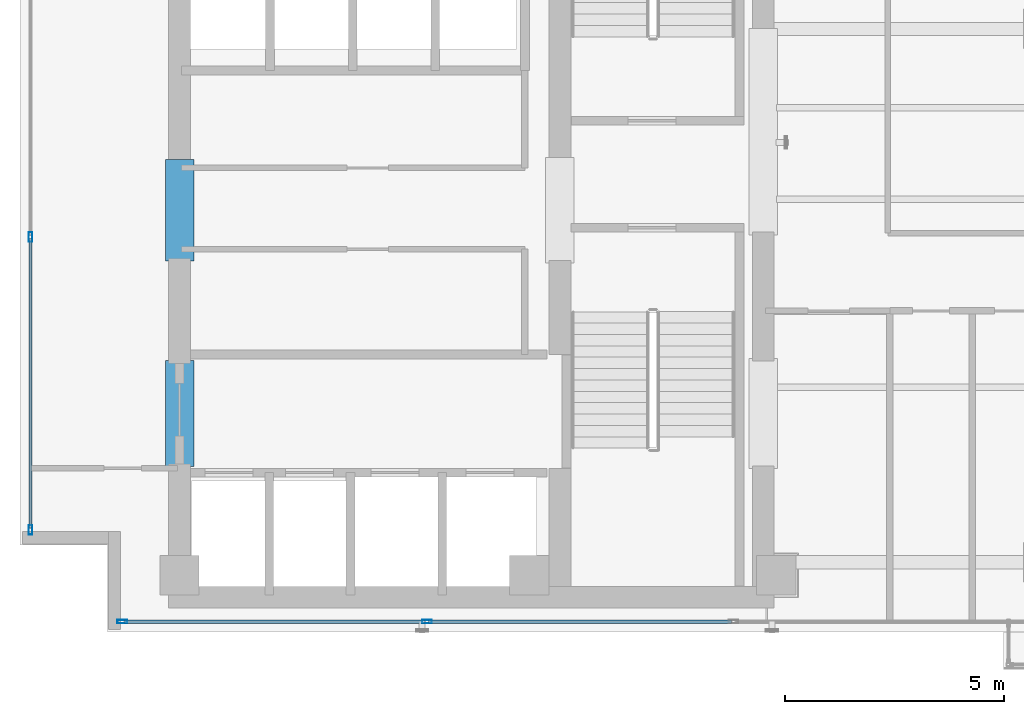
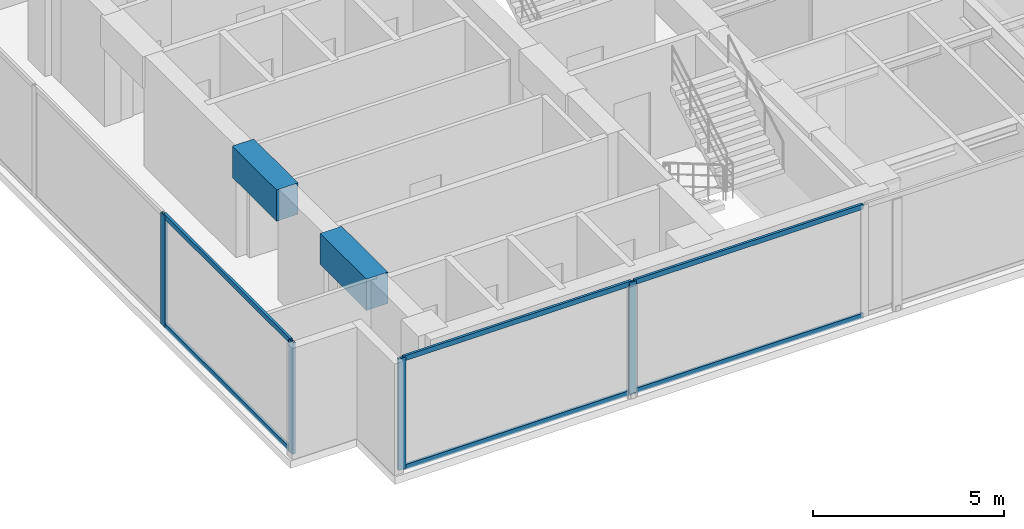
# One storey, part 2 of 22: 10 members, 2 beams, 2 elements without a shape of their own.
"""IFC4 building model written with IfcOpenShell, lengths in metres."""

from ifc_helpers import new_model, si_unit, direction, frame, origin, origin_with_axes, origin_2d, place, context, subcontext, project, spatial, rectangle, hollow_rectangle, extrude, source, transform, mapped, material, layer, layer_set, material_profile, profile_set, type_object, element, aggregate, save


model = new_model("IFC4")

# Units and contexts
model_context = context("Model", 3, precision=1e-05, world=origin(), true_north=direction((0.0, 1.0)))
body_context = subcontext(model_context, "Body", "Model", "MODEL_VIEW")
ifc_project = project(units=[si_unit("LENGTHUNIT", "METRE"), si_unit("AREAUNIT", "SQUARE_METRE"), si_unit("VOLUMEUNIT", "CUBIC_METRE"), si_unit("PLANEANGLEUNIT", "RADIAN"), si_unit("MASSUNIT", "GRAM", prefix="KILO")], contexts=[model_context])

# Site, building, storey
site_placement = place(None, origin())
site = spatial("IfcSite", under=ifc_project, at=site_placement, CompositionType="ELEMENT")
building_placement = place(site_placement, origin())
building = spatial("IfcBuilding", under=site, at=building_placement, Name="Kolvaren Waterfront Exchange", CompositionType="ELEMENT")
storey_placement = place(building_placement, frame((0.0, 0.0, 278.0)))
storey = spatial("IfcBuildingStorey", under=building, at=storey_placement, Name="L71", CompositionType="ELEMENT", Elevation=278.0)

# Beams
ifc_material_1 = material(Name="Concrete C60/75", Category="concrete")
ifc_material_profile_1 = material_profile(ifc_material_1, rectangle(XDim=0.64990234375, YDim=1.0, at=origin_2d()), Name="RC-CB-1000x650")
ifc_profile_set_1 = profile_set([ifc_material_profile_1], Name="Concrete C60/75")
beam_type = type_object("IfcBeamType", Name="STR-CB-1000", PredefinedType="SPANDREL", material=ifc_profile_set_1)
beam_1_placement = place(storey_placement, frame((7.449951171875, 7.389892578125, 3.06005859375), z_axis=(0.0, 1.0, 0.0), x_axis=(-1.0, 0.0, 0.0)))
element("IfcBeam", 1, at=beam_1_placement, inside=storey, type_object=beam_type, Name="L71 core coupling beam 3", PredefinedType="SPANDREL", context=body_context, shape_type="SweptSolid", body=[
    extrude(rectangle(XDim=0.64990234375, YDim=1.0, at=origin_2d()), origin(), (0.0, 0.0, 1.0), 2.420166015625),
])
beam_2_placement = place(storey_placement, frame((7.449951171875, 12.090087890625, 3.06005859375), z_axis=(0.0, 1.0, 0.0), x_axis=(-1.0, 0.0, 0.0)))
element("IfcBeam", 2, at=beam_2_placement, inside=storey, type_object=beam_type, Name="L71 core coupling beam 4", PredefinedType="SPANDREL", context=body_context, shape_type="SweptSolid", body=[
    extrude(rectangle(XDim=0.64990234375, YDim=1.0, at=origin_2d()), origin(), (0.0, 0.0, 1.0), 2.31982421875),
])

# Curtain wall, members
ifc_material_2 = material(Name="Anodised bronze aluminium 6063-T6", Category="aluminium")
ifc_layer_1 = layer(ifc_material_2, 0.219970703125, Name="Anodised bronze aluminium 6063-T6")
ifc_layer_set_1 = layer_set([ifc_layer_1], Name="Anodised bronze aluminium 6063-T6")
curtain_wall_type_1 = type_object("IfcCurtainWallType", Name="ARC-CW-SYS1", PredefinedType="USERDEFINED", material=ifc_layer_set_1)
curtain_wall_1_placement = place(storey_placement, origin())
curtain_wall_1 = element("IfcCurtainWall", 3, at=curtain_wall_1_placement, inside=storey, type_object=curtain_wall_type_1, Name="L71 stick curtain wall CW1 (CW-L71-S)", ObjectType="STICK CURTAIN WALL", PredefinedType="USERDEFINED")
ifc_material_3 = material(Name="Anodised aluminium 6063-T6", Category="aluminium")
ifc_material_profile_2 = material_profile(ifc_material_3, hollow_rectangle(XDim=0.080078125, YDim=0.219970703125, WallThickness=0.0048828125, at=origin_2d()), Name="ALU-MUL-220x80x5")
ifc_profile_set_2 = profile_set([ifc_material_profile_2], Name="Anodised aluminium 6063-T6")
member_type_1 = type_object("IfcMemberType", Name="ARC-CWM-220", PredefinedType="MULLION", material=ifc_profile_set_2)
shared_shape_1 = source(origin_with_axes(), body_context, "Body", "SweptSolid", [
    extrude(hollow_rectangle(XDim=0.080078125, YDim=0.219970703125, WallThickness=0.0048828125, at=origin_2d()), origin(), (0.0, 0.0, 1.0), 3.56005859375),
])
member_1_placement = place(storey_placement, frame((6.139892578125, 3.840087890625, 0.0), z_axis=(0.0, 0.0, 1.0), x_axis=(0.0, 1.0, 0.0)))
member_1 = element("IfcMember", 4, at=member_1_placement, type_object=member_type_1, Name="CW1 mullion 1", PredefinedType="MULLION", context=body_context, shape_type="MappedRepresentation", body=[
    mapped(shared_shape_1, transform((0.0, 0.0, 0.0), x_axis=(1.0, 0.0, 0.0), y_axis=(0.0, 1.0, 0.0), z_axis=(0.0, 0.0, 1.0), scale=1.0)),
])
member_2_placement = place(storey_placement, frame((13.10888671875, 3.840087890625, 0.0), z_axis=(0.0, 0.0, 1.0), x_axis=(0.0, 1.0, 0.0)))
member_2 = element("IfcMember", 5, at=member_2_placement, type_object=member_type_1, Name="CW1 mullion 2", PredefinedType="MULLION", context=body_context, shape_type="MappedRepresentation", body=[
    mapped(shared_shape_1, transform((0.0, 0.0, 0.0), x_axis=(1.0, 0.0, 0.0), y_axis=(0.0, 1.0, 0.0), z_axis=(0.0, 0.0, 1.0), scale=1.0)),
])

ifc_layer_2 = layer(ifc_material_3, 0.219970703125, Name="Anodised aluminium 6063-T6")
ifc_layer_set_2 = layer_set([ifc_layer_2], Name="Anodised aluminium 6063-T6")
curtain_wall_type_2 = type_object("IfcCurtainWallType", Name="ARC-CW-SYS2", PredefinedType="USERDEFINED", material=ifc_layer_set_2)
curtain_wall_2_placement = place(storey_placement, origin())
curtain_wall_2 = element("IfcCurtainWall", 6, at=curtain_wall_2_placement, inside=storey, type_object=curtain_wall_type_2, Name="L71 stick curtain wall CW2 (CW-L71-W)", ObjectType="STICK CURTAIN WALL", PredefinedType="USERDEFINED")
member_3_placement = place(storey_placement, frame((4.0400390625, 5.93994140625, 0.0), z_axis=(0.0, 0.0, 1.0), x_axis=(-1.0, 0.0, 0.0)))
member_3 = element("IfcMember", 7, at=member_3_placement, type_object=member_type_1, Name="CW2 mullion 1", PredefinedType="MULLION", context=body_context, shape_type="MappedRepresentation", body=[
    mapped(shared_shape_1, transform((0.0, 0.0, 0.0), x_axis=(1.0, 0.0, 0.0), y_axis=(0.0, 1.0, 0.0), z_axis=(0.0, 0.0, 1.0), scale=1.0)),
])
member_4_placement = place(storey_placement, frame((4.0400390625, 12.64208984375, 0.0), z_axis=(0.0, 0.0, 1.0), x_axis=(-1.0, 0.0, 0.0)))
member_4 = element("IfcMember", 8, at=member_4_placement, type_object=member_type_1, Name="CW2 mullion 2", PredefinedType="MULLION", context=body_context, shape_type="MappedRepresentation", body=[
    mapped(shared_shape_1, transform((0.0, 0.0, 0.0), x_axis=(1.0, 0.0, 0.0), y_axis=(0.0, 1.0, 0.0), z_axis=(0.0, 0.0, 1.0), scale=1.0)),
])

# Member
ifc_material_profile_3 = material_profile(ifc_material_3, hollow_rectangle(XDim=0.074951171875, YDim=0.159912109375, WallThickness=0.00439453125, at=origin_2d()), Name="ALU-TRN-160x75x4.5")
ifc_profile_set_3 = profile_set([ifc_material_profile_3], Name="Anodised aluminium 6063-T6")
member_type_2 = type_object("IfcMemberType", Name="ARC-CWT-160", PredefinedType="USERDEFINED", material=ifc_profile_set_3)
shared_shape_2 = source(origin_with_axes(), body_context, "Body", "SweptSolid", [
    extrude(hollow_rectangle(XDim=0.074951171875, YDim=0.159912109375, WallThickness=0.00439453125, at=origin_2d()), origin(), (0.0, 0.0, 1.0), 6.888916015625),
])
member_5_placement = place(storey_placement, frame((6.179931640625, 3.840087890625, 0.03759765625), z_axis=(1.0, 0.0, 0.0), x_axis=(0.0, 1.0, 0.0)))
member_5 = element("IfcMember", 9, at=member_5_placement, type_object=member_type_2, Name="CW1 transom 1.1", ObjectType="TRANSOM", PredefinedType="USERDEFINED", context=body_context, shape_type="MappedRepresentation", body=[
    mapped(shared_shape_2, transform((0.0, 0.0, 0.0), x_axis=(1.0, 0.0, 0.0), y_axis=(0.0, 1.0, 0.0), z_axis=(0.0, 0.0, 1.0), scale=1.0)),
])

member_6_placement = place(storey_placement, frame((6.179931640625, 3.840087890625, 3.5224609375), z_axis=(1.0, 0.0, 0.0), x_axis=(0.0, 1.0, 0.0)))
member_6 = element("IfcMember", 10, at=member_6_placement, type_object=member_type_2, Name="CW1 transom 1.2", ObjectType="TRANSOM", PredefinedType="USERDEFINED", context=body_context, shape_type="MappedRepresentation", body=[
    mapped(shared_shape_2, transform((0.0, 0.0, 0.0), x_axis=(1.0, 0.0, 0.0), y_axis=(0.0, 1.0, 0.0), z_axis=(0.0, 0.0, 1.0), scale=1.0)),
])

shared_shape_3 = source(origin_with_axes(), body_context, "Body", "SweptSolid", [
    extrude(hollow_rectangle(XDim=0.074951171875, YDim=0.159912109375, WallThickness=0.00439453125, at=origin_2d()), origin(), (0.0, 0.0, 1.0), 6.928955078125),
])
member_7_placement = place(storey_placement, frame((13.148681640625, 3.840087890625, 0.03759765625), z_axis=(1.0, 0.0, 0.0), x_axis=(0.0, 1.0, 0.0)))
member_7 = element("IfcMember", 11, at=member_7_placement, type_object=member_type_2, Name="CW1 transom 2.1", ObjectType="TRANSOM", PredefinedType="USERDEFINED", context=body_context, shape_type="MappedRepresentation", body=[
    mapped(shared_shape_3, transform((0.0, 0.0, 0.0), x_axis=(1.0, 0.0, 0.0), y_axis=(0.0, 1.0, 0.0), z_axis=(0.0, 0.0, 1.0), scale=1.0)),
])

member_8_placement = place(storey_placement, frame((13.148681640625, 3.840087890625, 3.5224609375), z_axis=(1.0, 0.0, 0.0), x_axis=(0.0, 1.0, 0.0)))
member_8 = element("IfcMember", 12, at=member_8_placement, type_object=member_type_2, Name="CW1 transom 2.2", ObjectType="TRANSOM", PredefinedType="USERDEFINED", context=body_context, shape_type="MappedRepresentation", body=[
    mapped(shared_shape_3, transform((0.0, 0.0, 0.0), x_axis=(1.0, 0.0, 0.0), y_axis=(0.0, 1.0, 0.0), z_axis=(0.0, 0.0, 1.0), scale=1.0)),
])

aggregate(curtain_wall_1, [member_1, member_2, member_5, member_6, member_7, member_8])

shared_shape_4 = source(origin_with_axes(), body_context, "Body", "SweptSolid", [
    extrude(hollow_rectangle(XDim=0.074951171875, YDim=0.159912109375, WallThickness=0.00439453125, at=origin_2d()), origin(), (0.0, 0.0, 1.0), 6.6220703125),
])
member_9_placement = place(storey_placement, frame((4.0400390625, 5.97998046875, 0.03759765625), z_axis=(0.0, 1.0, 0.0), x_axis=(-1.0, 0.0, 0.0)))
member_9 = element("IfcMember", 13, at=member_9_placement, type_object=member_type_2, Name="CW2 transom 1.1", ObjectType="TRANSOM", PredefinedType="USERDEFINED", context=body_context, shape_type="MappedRepresentation", body=[
    mapped(shared_shape_4, transform((0.0, 0.0, 0.0), x_axis=(1.0, 0.0, 0.0), y_axis=(0.0, 1.0, 0.0), z_axis=(0.0, 0.0, 1.0), scale=1.0)),
])

member_10_placement = place(storey_placement, frame((4.0400390625, 5.97998046875, 3.5224609375), z_axis=(0.0, 1.0, 0.0), x_axis=(-1.0, 0.0, 0.0)))
member_10 = element("IfcMember", 14, at=member_10_placement, type_object=member_type_2, Name="CW2 transom 1.2", ObjectType="TRANSOM", PredefinedType="USERDEFINED", context=body_context, shape_type="MappedRepresentation", body=[
    mapped(shared_shape_4, transform((0.0, 0.0, 0.0), x_axis=(1.0, 0.0, 0.0), y_axis=(0.0, 1.0, 0.0), z_axis=(0.0, 0.0, 1.0), scale=1.0)),
])

aggregate(curtain_wall_2, [member_3, member_4, member_9, member_10])

save(model, "model.ifc")
